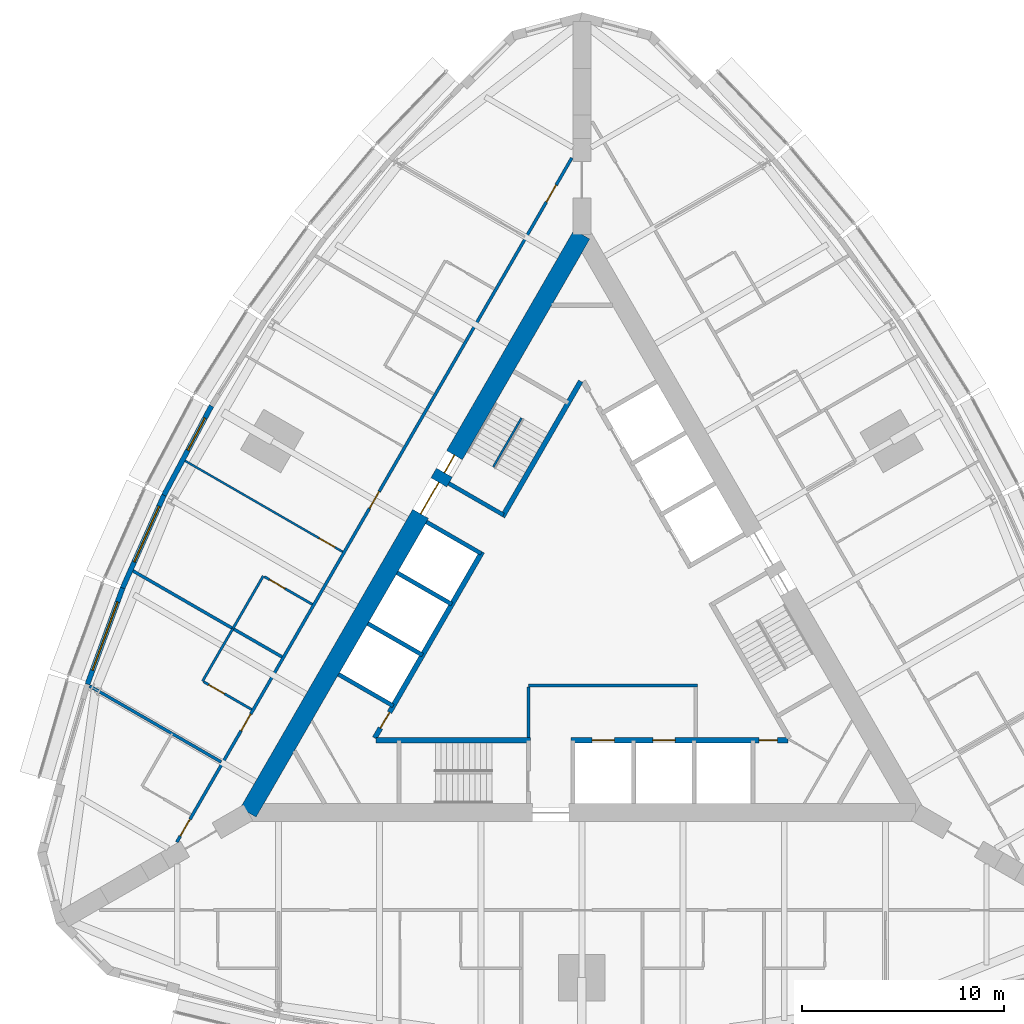
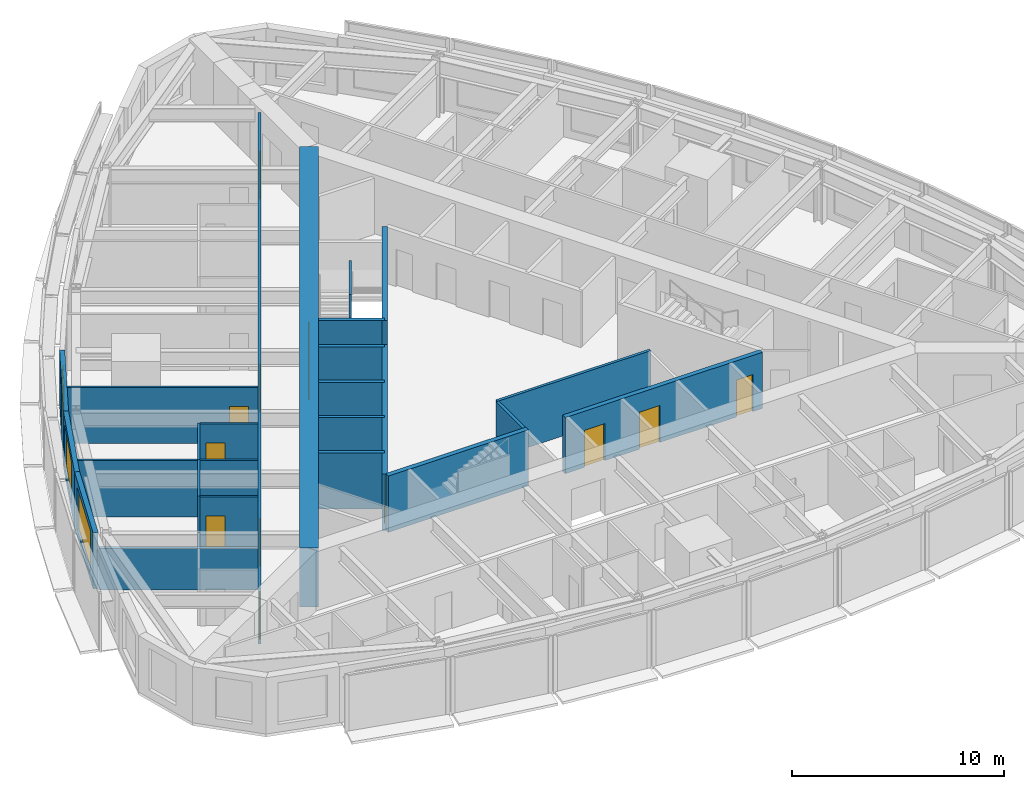
# One storey, part 9 of 14: 24 walls, 13 doors, 3 windows, 16 openings.
"""IFC4 building model written with IfcOpenShell, lengths in metres."""

from ifc_helpers import new_model, si_unit, direction, frame, frame_2d, origin, place, context, subcontext, project, spatial, rectangle, extrude, material, layer, layer_set, type_object, element, fill, save


model = new_model("IFC4")

# Units and contexts
model_context = context("Model", 3, precision=1e-05, world=origin(), true_north=direction((0.0, 1.0)))
body_context = subcontext(model_context, "Body", "Model", "MODEL_VIEW")
ifc_project = project(units=[si_unit("LENGTHUNIT", "METRE"), si_unit("AREAUNIT", "SQUARE_METRE"), si_unit("VOLUMEUNIT", "CUBIC_METRE"), si_unit("PLANEANGLEUNIT", "RADIAN"), si_unit("MASSUNIT", "GRAM", prefix="KILO")], contexts=[model_context])

# Site, building, storey
site_placement = place(None, origin())
site = spatial("IfcSite", under=ifc_project, at=site_placement, CompositionType="ELEMENT")
building_placement = place(site_placement, origin())
building = spatial("IfcBuilding", under=site, at=building_placement, Name="Trikona Tower", CompositionType="ELEMENT")
storey_placement = place(building_placement, frame((0.0, 0.0, 172.5)))
storey = spatial("IfcBuildingStorey", under=building, at=storey_placement, Name="L46", CompositionType="ELEMENT", Elevation=172.5)

# Wall
ifc_material_1 = material(Name="Metal stud and cement board", Category="gypsum")
ifc_layer_1 = layer(ifc_material_1, 0.1201171875)
ifc_layer_set_1 = layer_set([ifc_layer_1], Name="Bathroom wall 120")
wall_type_1 = type_object("IfcWallType", Name="Bathroom wall 120", PredefinedType="PLUMBINGWALL", material=ifc_layer_set_1)
wall_1_placement = place(storey_placement, frame((-15.75341796875, 2.1669921875, 0.0), z_axis=(0.0, 0.0, 1.0), x_axis=(-0.499990139034, -0.866031096941, 0.0)))
element("IfcWall", 1, at=wall_1_placement, inside=storey, type_object=wall_type_1, Name="Bathroom wall 4611.2", PredefinedType="PLUMBINGWALL", context=body_context, shape_type="SweptSolid", body=[
    extrude(rectangle(XDim=3.0, YDim=0.1201171875, at=frame_2d((1.5, 0.0))), origin(), (0.0, 0.0, 1.0), 3.235107421875),
])

# Wall, opening, door
wall_2_placement = place(storey_placement, frame((-13.32861328125, 0.76708984375, 0.0), z_axis=(0.0, 0.0, 1.0), x_axis=(-0.866035715982, 0.499982138324, 0.0)))
wall_2 = element("IfcWall", 2, at=wall_2_placement, inside=storey, type_object=wall_type_1, Name="Bathroom wall 4611.2", PredefinedType="PLUMBINGWALL", context=body_context, shape_type="SweptSolid", body=[
    extrude(rectangle(XDim=2.73974609375, YDim=0.1201171875, at=frame_2d((1.369873046875, 0.0))), origin(), (0.0, 0.0, 1.0), 3.235107421875),
])
opening_1_placement = place(wall_2_placement, frame((1.550048828125, 0.0, 0.0)))
opening_1 = element("IfcOpeningElement", 3, at=opening_1_placement, cuts=wall_2, Name="Opening D2", PredefinedType="OPENING", context=body_context, shape_type="SweptSolid", body=[
    extrude(rectangle(XDim=0.89990234375, YDim=2.1298828125, at=frame_2d((0.449951171875, 1.06494140625))), frame((0.0, 0.070068359375, 0.0), z_axis=(0.0, -1.0, 0.0), x_axis=(1.0, 0.0, 0.0)), (0.0, 0.0, 1.0), 0.14013671875),
])
ifc_material_2 = material(Name="Steel door frame with solid-core timber leaf", Category="steel")
door_type_1 = type_object("IfcDoorType", Name="Bathroom door 900x2130", OperationType="SLIDING_TO_LEFT", PredefinedType="DOOR", material=ifc_material_2)
door_1_placement = place(opening_1_placement, origin())
door_1 = element("IfcDoor", 4, at=door_1_placement, inside=storey, type_object=door_type_1, Name="Bathroom door 4611.2", OperationType="SLIDING_TO_LEFT", OverallHeight=2.1298828125, OverallWidth=0.89990234375, PredefinedType="DOOR", context=body_context, shape_type="SweptSolid", body=[
    extrude(rectangle(XDim=0.89990234375, YDim=2.1298828125, at=frame_2d((0.449951171875, 1.06494140625))), frame((0.0, 0.02490234375, 0.0), z_axis=(0.0, -1.0, 0.0), x_axis=(1.0, 0.0, 0.0)), (0.0, 0.0, 1.0), 0.050048828125),
])
fill(opening_1, door_1)

# Wall
wall_3_placement = place(storey_placement, frame((-17.25341796875, -0.43115234375, 0.0), z_axis=(0.0, 0.0, 1.0), x_axis=(-0.499990139034, -0.866031096941, 0.0)))
element("IfcWall", 5, at=wall_3_placement, inside=storey, type_object=wall_type_1, Name="Bathroom wall 4612", PredefinedType="PLUMBINGWALL", context=body_context, shape_type="SweptSolid", body=[
    extrude(rectangle(XDim=3.0, YDim=0.1201171875, at=frame_2d((1.5, 0.0))), origin(), (0.0, 0.0, 1.0), 3.235107421875),
])

# Wall, opening, door
wall_4_placement = place(storey_placement, frame((-16.32861328125, -4.42919921875, 0.0), z_axis=(0.0, 0.0, 1.0), x_axis=(-0.865997131366, 0.500048966069, 0.0)))
wall_4 = element("IfcWall", 6, at=wall_4_placement, inside=storey, type_object=wall_type_1, Name="Bathroom wall 4612", PredefinedType="PLUMBINGWALL", context=body_context, shape_type="SweptSolid", body=[
    extrude(rectangle(XDim=2.739990234375, YDim=0.1201171875, at=frame_2d((1.3701171875, 0.0))), origin(), (0.0, 0.0, 1.0), 3.235107421875),
])
opening_2_placement = place(wall_4_placement, frame((1.550048828125, 0.0, 0.0)))
opening_2 = element("IfcOpeningElement", 7, at=opening_2_placement, cuts=wall_4, Name="Opening D2", PredefinedType="OPENING", context=body_context, shape_type="SweptSolid", body=[
    extrude(rectangle(XDim=0.89990234375, YDim=2.1298828125, at=frame_2d((0.449951171875, 1.06494140625))), frame((0.0, 0.070068359375, 0.0), z_axis=(0.0, -1.0, 0.0), x_axis=(1.0, 0.0, 0.0)), (0.0, 0.0, 1.0), 0.14013671875),
])
door_2_placement = place(opening_2_placement, origin())
door_2 = element("IfcDoor", 8, at=door_2_placement, inside=storey, type_object=door_type_1, Name="Bathroom door 4612", OperationType="SLIDING_TO_LEFT", OverallHeight=2.1298828125, OverallWidth=0.89990234375, PredefinedType="DOOR", context=body_context, shape_type="SweptSolid", body=[
    extrude(rectangle(XDim=0.89990234375, YDim=2.1298828125, at=frame_2d((0.449951171875, 1.06494140625))), frame((0.0, 0.02490234375, 0.0), z_axis=(0.0, -1.0, 0.0), x_axis=(1.0, 0.0, 0.0)), (0.0, 0.0, 1.0), 0.050048828125),
])
fill(opening_2, door_2)

# Wall, openings, doors
ifc_material_3 = material(Name="Concrete f'c 10000 psi", Category="concrete")
ifc_layer_2 = layer(ifc_material_3, 0.89990234375)
ifc_layer_set_2 = layer_set([ifc_layer_2], Name="Core wall 900")
wall_type_2 = type_object("IfcWallType", Name="Core wall 900", PredefinedType="SHEAR", material=ifc_layer_set_2)
wall_5_placement = place(storey_placement, frame((0.0, 19.052490234375, 0.0), z_axis=(0.0, 0.0, 1.0), x_axis=(-0.499999749417, -0.866025548458, 0.0)))
wall_5 = element("IfcWall", 9, at=wall_5_placement, inside=storey, type_object=wall_type_2, Name="Core wall C", PredefinedType="SHEAR", context=body_context, shape_type="SweptSolid", body=[
    extrude(rectangle(XDim=33.0, YDim=0.89990234375, at=frame_2d((16.5, 0.0))), origin(), (0.0, 0.0, 1.0), 3.39990234375),
])
opening_3_placement = place(wall_5_placement, frame((14.14990234375, 0.0, 0.0)))
opening_3 = element("IfcOpeningElement", 10, at=opening_3_placement, cuts=wall_5, Name="Opening D6", PredefinedType="OPENING", context=body_context, shape_type="SweptSolid", body=[
    extrude(rectangle(XDim=1.800048828125, YDim=2.1298828125, at=frame_2d((0.89990234375, 1.06494140625))), frame((0.0, 0.4599609375, 0.0), z_axis=(0.0, -1.0, 0.0), x_axis=(1.0, 0.0, 0.0)), (0.0, 0.0, 1.0), 0.919921875),
])
opening_4_placement = place(wall_5_placement, frame((12.60009765625, 0.0, 0.0)))
opening_4 = element("IfcOpeningElement", 11, at=opening_4_placement, cuts=wall_5, Name="Opening D5", PredefinedType="OPENING", context=body_context, shape_type="SweptSolid", body=[
    extrude(rectangle(XDim=1.0, YDim=2.1298828125, at=frame_2d((0.5, 1.06494140625))), frame((0.0, 0.4599609375, 0.0), z_axis=(0.0, -1.0, 0.0), x_axis=(1.0, 0.0, 0.0)), (0.0, 0.0, 1.0), 0.919921875),
])
ifc_material_4 = material(Name="Hollow metal door and frame", Category="steel")
door_type_2 = type_object("IfcDoorType", Name="Lobby door pair 1800x2130", OperationType="DOUBLE_DOOR_SINGLE_SWING", PredefinedType="DOOR", material=ifc_material_4)
door_3_placement = place(opening_3_placement, origin())
door_3 = element("IfcDoor", 12, at=door_3_placement, inside=storey, type_object=door_type_2, Name="Lift lobby door C", OperationType="DOUBLE_DOOR_SINGLE_SWING", OverallHeight=2.1298828125, OverallWidth=1.800048828125, PredefinedType="DOOR", context=body_context, shape_type="SweptSolid", body=[
    extrude(rectangle(XDim=1.800048828125, YDim=2.1298828125, at=frame_2d((0.89990234375, 1.06494140625))), frame((0.0, 0.02490234375, 0.0), z_axis=(0.0, -1.0, 0.0), x_axis=(1.0, 0.0, 0.0)), (0.0, 0.0, 1.0), 0.050048828125),
])
fill(opening_3, door_3)
ifc_material_5 = material(Name="Hollow metal door and frame", Category="steel")
door_type_3 = type_object("IfcDoorType", Name="Stair door 1000x2130", OperationType="SINGLE_SWING_LEFT", PredefinedType="DOOR", material=ifc_material_5)
door_4_placement = place(opening_4_placement, origin())
door_4 = element("IfcDoor", 13, at=door_4_placement, inside=storey, type_object=door_type_3, Name="Stair C door", OperationType="SINGLE_SWING_RIGHT", OverallHeight=2.1298828125, OverallWidth=1.0, PredefinedType="DOOR", context=body_context, shape_type="SweptSolid", body=[
    extrude(rectangle(XDim=1.0, YDim=2.1298828125, at=frame_2d((0.5, 1.06494140625))), frame((0.0, 0.02490234375, 0.0), z_axis=(0.0, -1.0, 0.0), x_axis=(1.0, 0.0, 0.0)), (0.0, 0.0, 1.0), 0.050048828125),
])
fill(opening_4, door_4)

ifc_material_6 = material(Name="Metal stud and gypsum board, 1-hour", Category="gypsum")
ifc_layer_3 = layer(ifc_material_6, 0.14990234375)
ifc_layer_set_3 = layer_set([ifc_layer_3], Name="Corridor wall 150")
wall_type_3 = type_object("IfcWallType", Name="Corridor wall 150", PredefinedType="PARTITIONING", material=ifc_layer_set_3)
wall_6_placement = place(storey_placement, frame((-0.5, 22.83642578125, 0.0), z_axis=(0.0, 0.0, 1.0), x_axis=(-0.500001677587, -0.866024435227, 0.0)))
wall_6 = element("IfcWall", 14, at=wall_6_placement, inside=storey, type_object=wall_type_3, Name="Corridor wall L46-3", PredefinedType="PARTITIONING", context=body_context, shape_type="SweptSolid", body=[
    extrude(rectangle(XDim=39.053955078125, YDim=0.14990234375, at=frame_2d((19.52685546875, 0.0))), origin(), (0.0, 0.0, 1.0), 3.235107421875),
])
opening_5_placement = place(wall_6_placement, frame((1.558349609375, 0.0, 0.0)))
opening_5 = element("IfcOpeningElement", 15, at=opening_5_placement, cuts=wall_6, Name="Opening D1", PredefinedType="OPENING", context=body_context, shape_type="SweptSolid", body=[
    extrude(rectangle(XDim=0.949951171875, YDim=2.1298828125, at=frame_2d((0.47509765625, 1.06494140625))), frame((0.0, 0.0849609375, 0.0), z_axis=(0.0, -1.0, 0.0), x_axis=(1.0, 0.0, 0.0)), (0.0, 0.0, 1.0), 0.169921875),
])
opening_6_placement = place(wall_6_placement, frame((19.052001953125, 0.0, 0.0)))
opening_6 = element("IfcOpeningElement", 16, at=opening_6_placement, cuts=wall_6, Name="Opening D1", PredefinedType="OPENING", context=body_context, shape_type="SweptSolid", body=[
    extrude(rectangle(XDim=0.949951171875, YDim=2.1298828125, at=frame_2d((0.47509765625, 1.06494140625))), frame((0.0, 0.0849609375, 0.0), z_axis=(0.0, -1.0, 0.0), x_axis=(1.0, 0.0, 0.0)), (0.0, 0.0, 1.0), 0.169921875),
])
opening_7_placement = place(wall_6_placement, frame((31.751953125, 0.0, 0.0)))
opening_7 = element("IfcOpeningElement", 17, at=opening_7_placement, cuts=wall_6, Name="Opening D1", PredefinedType="OPENING", context=body_context, shape_type="SweptSolid", body=[
    extrude(rectangle(XDim=0.949951171875, YDim=2.1298828125, at=frame_2d((0.47509765625, 1.06494140625))), frame((0.0, 0.0849609375, 0.0), z_axis=(0.0, -1.0, 0.0), x_axis=(1.0, 0.0, 0.0)), (0.0, 0.0, 1.0), 0.169921875),
])
opening_8_placement = place(wall_6_placement, frame((37.751953125, 0.0, 0.0)))
opening_8 = element("IfcOpeningElement", 18, at=opening_8_placement, cuts=wall_6, Name="Opening D1", PredefinedType="OPENING", context=body_context, shape_type="SweptSolid", body=[
    extrude(rectangle(XDim=0.949951171875, YDim=2.1298828125, at=frame_2d((0.47509765625, 1.06494140625))), frame((0.0, 0.0849609375, 0.0), z_axis=(0.0, -1.0, 0.0), x_axis=(1.0, 0.0, 0.0)), (0.0, 0.0, 1.0), 0.169921875),
])
ifc_material_7 = material(Name="Steel door frame with solid-core timber leaf", Category="steel")
door_type_4 = type_object("IfcDoorType", Name="Guest room door 950x2130", OperationType="SINGLE_SWING_LEFT", PredefinedType="DOOR", material=ifc_material_7)
door_5_placement = place(opening_5_placement, origin())
door_5 = element("IfcDoor", 19, at=door_5_placement, inside=storey, type_object=door_type_4, Name="Room door 4610", OperationType="SINGLE_SWING_LEFT", OverallHeight=2.1298828125, OverallWidth=0.949951171875, PredefinedType="DOOR", context=body_context, shape_type="SweptSolid", body=[
    extrude(rectangle(XDim=0.949951171875, YDim=2.1298828125, at=frame_2d((0.47509765625, 1.06494140625))), frame((0.0, 0.02490234375, 0.0), z_axis=(0.0, -1.0, 0.0), x_axis=(1.0, 0.0, 0.0)), (0.0, 0.0, 1.0), 0.050048828125),
])
fill(opening_5, door_5)
door_6_placement = place(opening_6_placement, origin())
door_6 = element("IfcDoor", 20, at=door_6_placement, inside=storey, type_object=door_type_4, Name="Room door 4611", OperationType="SINGLE_SWING_RIGHT", OverallHeight=2.1298828125, OverallWidth=0.949951171875, PredefinedType="DOOR", context=body_context, shape_type="SweptSolid", body=[
    extrude(rectangle(XDim=0.949951171875, YDim=2.1298828125, at=frame_2d((0.47509765625, 1.06494140625))), frame((0.0, 0.02490234375, 0.0), z_axis=(0.0, -1.0, 0.0), x_axis=(1.0, 0.0, 0.0)), (0.0, 0.0, 1.0), 0.050048828125),
])
fill(opening_6, door_6)
door_7_placement = place(opening_7_placement, origin())
door_7 = element("IfcDoor", 21, at=door_7_placement, inside=storey, type_object=door_type_4, Name="Room door 4612", OperationType="SINGLE_SWING_LEFT", OverallHeight=2.1298828125, OverallWidth=0.949951171875, PredefinedType="DOOR", context=body_context, shape_type="SweptSolid", body=[
    extrude(rectangle(XDim=0.949951171875, YDim=2.1298828125, at=frame_2d((0.47509765625, 1.06494140625))), frame((0.0, 0.02490234375, 0.0), z_axis=(0.0, -1.0, 0.0), x_axis=(1.0, 0.0, 0.0)), (0.0, 0.0, 1.0), 0.050048828125),
])
fill(opening_7, door_7)
door_8_placement = place(opening_8_placement, origin())
door_8 = element("IfcDoor", 22, at=door_8_placement, inside=storey, type_object=door_type_4, Name="Room door 4613", OperationType="SINGLE_SWING_RIGHT", OverallHeight=2.1298828125, OverallWidth=0.949951171875, PredefinedType="DOOR", context=body_context, shape_type="SweptSolid", body=[
    extrude(rectangle(XDim=0.949951171875, YDim=2.1298828125, at=frame_2d((0.47509765625, 1.06494140625))), frame((0.0, 0.02490234375, 0.0), z_axis=(0.0, -1.0, 0.0), x_axis=(1.0, 0.0, 0.0)), (0.0, 0.0, 1.0), 0.050048828125),
])
fill(opening_8, door_8)

# Wall
ifc_material_8 = material(Name="Concrete f'c 8000 psi", Category="concrete")
ifc_layer_4 = layer(ifc_material_8, 0.25)
ifc_layer_set_4 = layer_set([ifc_layer_4], Name="Hub wall 250")
wall_type_4 = type_object("IfcWallType", Name="Hub wall 250", PredefinedType="SOLIDWALL", material=ifc_layer_set_4)
wall_7_placement = place(storey_placement, frame((-10.182861328125, -5.951416015625, 0.0), z_axis=(0.0, 0.0, 1.0), x_axis=(1.0, 0.0, 0.0)))
element("IfcWall", 23, at=wall_7_placement, inside=storey, type_object=wall_type_4, Name="Lift lobby wall A1", PredefinedType="SOLIDWALL", context=body_context, shape_type="SweptSolid", body=[
    extrude(rectangle(XDim=7.6328125, YDim=0.25, at=frame_2d((3.81640625, 0.0))), origin(), (0.0, 0.0, 1.0), 3.235107421875),
])

# Wall, openings, doors
wall_8_placement = place(storey_placement, frame((-0.550048828125, -5.951416015625, 0.0), z_axis=(0.0, 0.0, 1.0), x_axis=(1.0, 0.0, 0.0)))
wall_8 = element("IfcWall", 24, at=wall_8_placement, inside=storey, type_object=wall_type_4, Name="Lift lobby wall A2", PredefinedType="SOLIDWALL", context=body_context, shape_type="SweptSolid", body=[
    extrude(rectangle(XDim=10.73291015625, YDim=0.25, at=frame_2d((5.366455078125, 0.0))), origin(), (0.0, 0.0, 1.0), 3.235107421875),
])
opening_9_placement = place(wall_8_placement, frame((9.31396484375, 0.0, 0.0)))
opening_9 = element("IfcOpeningElement", 25, at=opening_9_placement, cuts=wall_8, Name="Opening D14", PredefinedType="OPENING", context=body_context, shape_type="SweptSolid", body=[
    extrude(rectangle(XDim=0.89990234375, YDim=2.1298828125, at=frame_2d((0.449951171875, 1.06494140625))), frame((0.0, 0.135009765625, 0.0), z_axis=(0.0, -1.0, 0.0), x_axis=(1.0, 0.0, 0.0)), (0.0, 0.0, 1.0), 0.27001953125),
])
opening_10_placement = place(wall_8_placement, frame((1.050048828125, 0.0, 0.0)))
opening_10 = element("IfcOpeningElement", 26, at=opening_10_placement, cuts=wall_8, Name="Opening LD", PredefinedType="OPENING", context=body_context, shape_type="SweptSolid", body=[
    extrude(rectangle(XDim=1.10009765625, YDim=2.1298828125, at=frame_2d((0.550048828125, 1.06494140625))), frame((0.0, 0.135009765625, 0.0), z_axis=(0.0, -1.0, 0.0), x_axis=(1.0, 0.0, 0.0)), (0.0, 0.0, 1.0), 0.27001953125),
])
opening_11_placement = place(wall_8_placement, frame((4.050048828125, 0.0, 0.0)))
opening_11 = element("IfcOpeningElement", 27, at=opening_11_placement, cuts=wall_8, Name="Opening LD", PredefinedType="OPENING", context=body_context, shape_type="SweptSolid", body=[
    extrude(rectangle(XDim=1.10009765625, YDim=2.1298828125, at=frame_2d((0.550048828125, 1.06494140625))), frame((0.0, 0.135009765625, 0.0), z_axis=(0.0, -1.0, 0.0), x_axis=(1.0, 0.0, 0.0)), (0.0, 0.0, 1.0), 0.27001953125),
])
ifc_material_9 = material(Name="Stainless steel lift landing door", Category="steel")
door_type_5 = type_object("IfcDoorType", Name="Lift landing door 1100x2130", OperationType="DOUBLE_DOOR_SLIDING", PredefinedType="USERDEFINED", material=ifc_material_9)
door_9_placement = place(opening_10_placement, origin())
door_9 = element("IfcDoor", 28, at=door_9_placement, inside=storey, type_object=door_type_5, Name="Lift landing door FF1", ObjectType="LIFT LANDING DOOR", OperationType="DOUBLE_DOOR_SLIDING", OverallHeight=2.1298828125, OverallWidth=1.10009765625, PredefinedType="USERDEFINED", context=body_context, shape_type="SweptSolid", body=[
    extrude(rectangle(XDim=1.10009765625, YDim=2.1298828125, at=frame_2d((0.550048828125, 1.06494140625))), frame((0.0, 0.02490234375, 0.0), z_axis=(0.0, -1.0, 0.0), x_axis=(1.0, 0.0, 0.0)), (0.0, 0.0, 1.0), 0.050048828125),
])
fill(opening_10, door_9)
door_10_placement = place(opening_11_placement, origin())
door_10 = element("IfcDoor", 29, at=door_10_placement, inside=storey, type_object=door_type_5, Name="Lift landing door FF2", ObjectType="LIFT LANDING DOOR", OperationType="DOUBLE_DOOR_SLIDING", OverallHeight=2.1298828125, OverallWidth=1.10009765625, PredefinedType="USERDEFINED", context=body_context, shape_type="SweptSolid", body=[
    extrude(rectangle(XDim=1.10009765625, YDim=2.1298828125, at=frame_2d((0.550048828125, 1.06494140625))), frame((0.0, 0.02490234375, 0.0), z_axis=(0.0, -1.0, 0.0), x_axis=(1.0, 0.0, 0.0)), (0.0, 0.0, 1.0), 0.050048828125),
])
fill(opening_11, door_10)
ifc_material_10 = material(Name="Hollow metal door and frame", Category="steel")
door_type_6 = type_object("IfcDoorType", Name="Service room door 900x2130", OperationType="SINGLE_SWING_LEFT", PredefinedType="DOOR", material=ifc_material_10)
door_11_placement = place(opening_9_placement, origin())
door_11 = element("IfcDoor", 30, at=door_11_placement, inside=storey, type_object=door_type_6, Name="Door Housekeeping store HKS", OperationType="SINGLE_SWING_RIGHT", OverallHeight=2.1298828125, OverallWidth=0.89990234375, PredefinedType="DOOR", context=body_context, shape_type="SweptSolid", body=[
    extrude(rectangle(XDim=0.89990234375, YDim=2.1298828125, at=frame_2d((0.449951171875, 1.06494140625))), frame((0.0, 0.02490234375, 0.0), z_axis=(0.0, -1.0, 0.0), x_axis=(1.0, 0.0, 0.0)), (0.0, 0.0, 1.0), 0.050048828125),
])
fill(opening_9, door_11)

# Wall
wall_9_placement = place(storey_placement, frame((-0.0625, 11.794189453125, 0.0), z_axis=(0.0, 0.0, 1.0), x_axis=(-0.500006680225, -0.86602154692, 0.0)))
element("IfcWall", 31, at=wall_9_placement, inside=storey, type_object=wall_type_4, Name="Lift lobby wall C1", PredefinedType="SOLIDWALL", context=body_context, shape_type="SweptSolid", body=[
    extrude(rectangle(XDim=7.73291015625, YDim=0.25, at=frame_2d((3.866455078125, 0.0))), origin(), (0.0, 0.0, 1.0), 3.235107421875),
])

# Wall, opening, door
wall_10_placement = place(storey_placement, frame((-4.928955078125, 3.365478515625, 0.0), z_axis=(0.0, 0.0, 1.0), x_axis=(-0.499991433582, -0.866030349552, 0.0)))
wall_10 = element("IfcWall", 32, at=wall_10_placement, inside=storey, type_object=wall_type_4, Name="Lift lobby wall C2", PredefinedType="SOLIDWALL", context=body_context, shape_type="SweptSolid", body=[
    extrude(rectangle(XDim=10.633056640625, YDim=0.25, at=frame_2d((5.31640625, 0.0))), origin(), (0.0, 0.0, 1.0), 3.235107421875),
])
opening_12_placement = place(wall_10_placement, frame((9.1640625, 0.0, 0.0)))
opening_12 = element("IfcOpeningElement", 33, at=opening_12_placement, cuts=wall_10, Name="Opening D14", PredefinedType="OPENING", context=body_context, shape_type="SweptSolid", body=[
    extrude(rectangle(XDim=0.89990234375, YDim=2.1298828125, at=frame_2d((0.449951171875, 1.06494140625))), frame((0.0, 0.135009765625, 0.0), z_axis=(0.0, -1.0, 0.0), x_axis=(1.0, 0.0, 0.0)), (0.0, 0.0, 1.0), 0.27001953125),
])
door_12_placement = place(opening_12_placement, origin())
door_12 = element("IfcDoor", 34, at=door_12_placement, inside=storey, type_object=door_type_6, Name="Door Linen store LIN", OperationType="SINGLE_SWING_RIGHT", OverallHeight=2.1298828125, OverallWidth=0.89990234375, PredefinedType="DOOR", context=body_context, shape_type="SweptSolid", body=[
    extrude(rectangle(XDim=0.89990234375, YDim=2.1298828125, at=frame_2d((0.449951171875, 1.06494140625))), frame((0.0, 0.02490234375, 0.0), z_axis=(0.0, -1.0, 0.0), x_axis=(1.0, 0.0, 0.0)), (0.0, 0.0, 1.0), 0.050048828125),
])
fill(opening_12, door_12)

# Wall, opening, window
ifc_material_11 = material(Name="Insulated precast concrete spandrel panel", Category="concrete")
ifc_layer_5 = layer(ifc_material_11, 0.25)
ifc_layer_set_5 = layer_set([ifc_layer_5], Name="Inner skin wall 250")
wall_type_5 = type_object("IfcWallType", Name="Inner skin wall 250", PredefinedType="STANDARD", material=ifc_layer_set_5)
wall_11_placement = place(storey_placement, frame((-18.314453125, 10.578857421875, 0.0), z_axis=(0.0, 0.0, 1.0), x_axis=(-0.469404966864, -0.882982999317, 0.0)))
wall_11 = element("IfcWall", 35, at=wall_11_placement, inside=storey, type_object=wall_type_5, Name="External wall L46-28", PredefinedType="STANDARD", context=body_context, shape_type="SweptSolid", body=[
    extrude(rectangle(XDim=5.0029296875, YDim=0.25, at=frame_2d((2.50146484375, 0.0))), origin(), (0.0, 0.0, 1.0), 3.235107421875),
])
opening_13_placement = place(wall_11_placement, frame((0.683837890625, 0.0, 0.449951171875)))
opening_13 = element("IfcOpeningElement", 36, at=opening_13_placement, cuts=wall_11, Name="Opening W1824", PredefinedType="OPENING", context=body_context, shape_type="SweptSolid", body=[
    extrude(rectangle(XDim=1.800048828125, YDim=2.39990234375, at=frame_2d((0.89990234375, 1.199951171875))), frame((0.0, 0.135009765625, 0.0), z_axis=(0.0, -1.0, 0.0), x_axis=(1.0, 0.0, 0.0)), (0.0, 0.0, 1.0), 0.27001953125),
])
ifc_material_12 = material(Name="Aluminium-framed double glazing", Category="aluminium")
window_type_1 = type_object("IfcWindowType", Name="Window 1800x2400", PartitioningType="SINGLE_PANEL", PredefinedType="WINDOW", material=ifc_material_12)
window_1_placement = place(opening_13_placement, origin())
window_1 = element("IfcWindow", 37, at=window_1_placement, inside=storey, type_object=window_type_1, Name="Window 4611", OverallHeight=2.39990234375, OverallWidth=1.800048828125, PartitioningType="SINGLE_PANEL", PredefinedType="WINDOW", context=body_context, shape_type="SweptSolid", body=[
    extrude(rectangle(XDim=1.800048828125, YDim=2.39990234375, at=frame_2d((0.89990234375, 1.199951171875))), frame((0.0, 0.030029296875, 0.0), z_axis=(0.0, -1.0, 0.0), x_axis=(1.0, 0.0, 0.0)), (0.0, 0.0, 1.0), 0.06005859375),
])
fill(opening_13, window_1)

wall_12_placement = place(storey_placement, frame((-20.6591796875, 6.169189453125, 0.0), z_axis=(0.0, 0.0, 1.0), x_axis=(-0.406832200364, -0.913502906808, 0.0)))
wall_12 = element("IfcWall", 38, at=wall_12_placement, inside=storey, type_object=wall_type_5, Name="External wall L46-29", PredefinedType="STANDARD", context=body_context, shape_type="SweptSolid", body=[
    extrude(rectangle(XDim=5.027587890625, YDim=0.25, at=frame_2d((2.513671875, 0.0))), origin(), (0.0, 0.0, 1.0), 3.235107421875),
])
opening_14_placement = place(wall_12_placement, frame((0.609619140625, 0.0, 0.449951171875)))
opening_14 = element("IfcOpeningElement", 39, at=opening_14_placement, cuts=wall_12, Name="Opening W3024", PredefinedType="OPENING", context=body_context, shape_type="SweptSolid", body=[
    extrude(rectangle(XDim=3.0, YDim=2.39990234375, at=frame_2d((1.5, 1.199951171875))), frame((0.0, 0.135009765625, 0.0), z_axis=(0.0, -1.0, 0.0), x_axis=(1.0, 0.0, 0.0)), (0.0, 0.0, 1.0), 0.27001953125),
])
ifc_material_13 = material(Name="Aluminium-framed double glazing", Category="aluminium")
window_type_2 = type_object("IfcWindowType", Name="Window 3000x2400", PartitioningType="SINGLE_PANEL", PredefinedType="WINDOW", material=ifc_material_13)
window_2_placement = place(opening_14_placement, origin())
window_2 = element("IfcWindow", 40, at=window_2_placement, inside=storey, type_object=window_type_2, Name="Window 4611.2", OverallHeight=2.39990234375, OverallWidth=3.0, PartitioningType="SINGLE_PANEL", PredefinedType="WINDOW", context=body_context, shape_type="SweptSolid", body=[
    extrude(rectangle(XDim=3.0, YDim=2.39990234375, at=frame_2d((1.5, 1.199951171875))), frame((0.0, 0.030029296875, 0.0), z_axis=(0.0, -1.0, 0.0), x_axis=(1.0, 0.0, 0.0)), (0.0, 0.0, 1.0), 0.06005859375),
])
fill(opening_14, window_2)

wall_13_placement = place(storey_placement, frame((-22.701416015625, 1.58447265625, 0.0), z_axis=(0.0, 0.0, 1.0), x_axis=(-0.343225593282, -0.939252996863, 0.0)))
wall_13 = element("IfcWall", 41, at=wall_13_placement, inside=storey, type_object=wall_type_5, Name="External wall L46-30", PredefinedType="STANDARD", context=body_context, shape_type="SweptSolid", body=[
    extrude(rectangle(XDim=5.075927734375, YDim=0.25, at=frame_2d((2.5380859375, 0.0))), origin(), (0.0, 0.0, 1.0), 3.235107421875),
])
opening_15_placement = place(wall_13_placement, frame((0.738037109375, 0.0, 0.449951171875)))
opening_15 = element("IfcOpeningElement", 42, at=opening_15_placement, cuts=wall_13, Name="Opening W3624", PredefinedType="OPENING", context=body_context, shape_type="SweptSolid", body=[
    extrude(rectangle(XDim=3.60009765625, YDim=2.39990234375, at=frame_2d((1.800048828125, 1.199951171875))), frame((0.0, 0.135009765625, 0.0), z_axis=(0.0, -1.0, 0.0), x_axis=(1.0, 0.0, 0.0)), (0.0, 0.0, 1.0), 0.27001953125),
])
ifc_material_14 = material(Name="Aluminium-framed double glazing", Category="aluminium")
window_type_3 = type_object("IfcWindowType", Name="Window 3600x2400", PartitioningType="SINGLE_PANEL", PredefinedType="WINDOW", material=ifc_material_14)
window_3_placement = place(opening_15_placement, origin())
window_3 = element("IfcWindow", 43, at=window_3_placement, inside=storey, type_object=window_type_3, Name="Window 4612", OverallHeight=2.39990234375, OverallWidth=3.60009765625, PartitioningType="SINGLE_PANEL", PredefinedType="WINDOW", context=body_context, shape_type="SweptSolid", body=[
    extrude(rectangle(XDim=3.60009765625, YDim=2.39990234375, at=frame_2d((1.800048828125, 1.199951171875))), frame((0.0, 0.030029296875, 0.0), z_axis=(0.0, -1.0, 0.0), x_axis=(1.0, 0.0, 0.0)), (0.0, 0.0, 1.0), 0.06005859375),
])
fill(opening_15, window_3)

# Walls
ifc_material_15 = material(Name="Metal stud and gypsum board, 2-hour shaft wall", Category="gypsum")
ifc_layer_6 = layer(ifc_material_15, 0.14990234375)
ifc_layer_set_6 = layer_set([ifc_layer_6], Name="Lobby wall 150")
wall_type_6 = type_object("IfcWallType", Name="Lobby wall 150", PredefinedType="PARTITIONING", material=ifc_layer_set_6)
wall_14_placement = place(storey_placement, frame((-2.64990234375, -3.251220703125, 0.0), z_axis=(0.0, 0.0, 1.0), x_axis=(1.0, 0.0, 0.0)))
element("IfcWall", 44, at=wall_14_placement, inside=storey, type_object=wall_type_6, Name="Fire service lift lobby wall 1", PredefinedType="PARTITIONING", context=body_context, shape_type="SweptSolid", body=[
    extrude(rectangle(XDim=8.349853515625, YDim=0.14990234375, at=frame_2d((4.1748046875, 0.0))), origin(), (0.0, 0.0, 1.0), 3.235107421875),
])
wall_15_placement = place(storey_placement, frame((-2.64990234375, -5.826416015625, 0.0), z_axis=(0.0, 0.0, 1.0), x_axis=(0.0, 1.0, 0.0)))
element("IfcWall", 45, at=wall_15_placement, inside=storey, type_object=wall_type_6, Name="Fire service lift lobby wall 2", PredefinedType="PARTITIONING", context=body_context, shape_type="SweptSolid", body=[
    extrude(rectangle(XDim=2.5, YDim=0.14990234375, at=frame_2d((1.25, 0.0))), origin(), (0.0, 0.0, 1.0), 3.235107421875),
])
ifc_material_16 = material(Name="Metal stud and gypsum board, 1-hour acoustic", Category="gypsum")
ifc_layer_7 = layer(ifc_material_16, 0.14990234375)
ifc_layer_set_7 = layer_set([ifc_layer_7], Name="Party wall 150")
wall_type_7 = type_object("IfcWallType", Name="Party wall 150", PredefinedType="PARTITIONING", material=ifc_layer_set_7)
wall_16_placement = place(storey_placement, frame((-14.82861328125, -1.8310546875, 0.0), z_axis=(0.0, 0.0, 1.0), x_axis=(-0.866023962952, 0.500002495586, 0.0)))
element("IfcWall", 46, at=wall_16_placement, inside=storey, type_object=wall_type_7, Name="Partition L46 F3 u9", PredefinedType="PARTITIONING", context=body_context, shape_type="SweptSolid", body=[
    extrude(rectangle(XDim=8.50244140625, YDim=0.14990234375, at=frame_2d((4.251220703125, 0.0))), origin(), (0.0, 0.0, 1.0), 3.235107421875),
])
wall_17_placement = place(storey_placement, frame((-17.82861328125, -7.027099609375, 0.0), z_axis=(0.0, 0.0, 1.0), x_axis=(-0.866029804378, 0.499992377871, 0.0)))
element("IfcWall", 47, at=wall_17_placement, inside=storey, type_object=wall_type_7, Name="Partition L46 F3 u15", PredefinedType="PARTITIONING", context=body_context, shape_type="SweptSolid", body=[
    extrude(rectangle(XDim=7.51611328125, YDim=0.14990234375, at=frame_2d((3.758056640625, 0.0))), origin(), (0.0, 0.0, 1.0), 2.38916015625),
])
ifc_material_17 = material(Name="Concrete f'c 8000 psi", Category="concrete")
ifc_layer_8 = layer(ifc_material_17, 0.199951171875)
ifc_layer_set_8 = layer_set([ifc_layer_8], Name="Shaft wall 200")
wall_type_8 = type_object("IfcWallType", Name="Shaft wall 200", PredefinedType="SOLIDWALL", material=ifc_layer_set_8)
for number, where, z_axis, x_axis, name in (
    (48, (-4.97900390625, 3.27880859375, 0.0), (0.0, 0.0, 1.0), (-0.866022959057, 0.500004234368, 0.0), "Shaft wall C3"),
    (49, (-6.428955078125, 0.767333984375, 0.0), (0.0, 0.0, 1.0), (-0.866022959057, 0.500004234368, 0.0), "Shaft wall C4"),
    (50, (-7.87890625, -1.744140625, 0.0), (0.0, 0.0, 1.0), (-0.866022959057, 0.500004234368, 0.0), "Shaft wall C5"),
    (51, (-9.3291015625, -4.255615234375, 0.0), (0.0, 0.0, 1.0), (-0.866022959057, 0.500004234368, 0.0), "Shaft wall C6"),
):
    element("IfcWall", number, at=place(storey_placement, frame(where, z_axis=z_axis, x_axis=x_axis)), inside=storey, type_object=wall_type_8, Name=name, PredefinedType="SOLIDWALL", context=body_context, shape_type="SweptSolid", body=[
        extrude(rectangle(XDim=3.125, YDim=0.199951171875, at=frame_2d((1.5625, 0.0))), origin(), (0.0, 0.0, 1.0), 3.235107421875),
    ])
ifc_material_18 = material(Name="Concrete f'c 8000 psi", Category="concrete")
ifc_layer_9 = layer(ifc_material_18, 0.199951171875)
ifc_layer_set_9 = layer_set([ifc_layer_9], Name="Shaft wall 200 load-bearing")
wall_type_9 = type_object("IfcWallType", Name="Shaft wall 200 load-bearing", PredefinedType="SOLIDWALL", material=ifc_layer_set_9)
wall_18_placement = place(storey_placement, frame((-3.87890625, 5.18408203125, 0.0), z_axis=(0.0, 0.0, 1.0), x_axis=(-0.866022959057, 0.500004234368, 0.0)))
element("IfcWall", 52, at=wall_18_placement, inside=storey, type_object=wall_type_9, Name="Shaft wall C2", PredefinedType="SOLIDWALL", context=body_context, shape_type="SweptSolid", body=[
    extrude(rectangle(XDim=3.125, YDim=0.199951171875, at=frame_2d((1.5625, 0.0))), origin(), (0.0, 0.0, 1.0), 3.235107421875),
])
ifc_material_19 = material(Name="Concrete f'c 5000 psi", Category="concrete")
ifc_layer_10 = layer(ifc_material_19, 0.10009765625)
ifc_layer_set_10 = layer_set([ifc_layer_10], Name="Stair spine wall 100")
wall_type_10 = type_object("IfcWallType", Name="Stair spine wall 100", PredefinedType="SOLIDWALL", material=ifc_layer_set_10)
wall_19_placement = place(storey_placement, frame((-2.98779296875, 9.9775390625, 0.0), z_axis=(0.0, 0.0, 1.0), x_axis=(-0.499992232847, -0.866029888106, 0.0)))
element("IfcWall", 53, at=wall_19_placement, inside=storey, type_object=wall_type_10, Name="Stair C spine wall L46", PredefinedType="SOLIDWALL", context=body_context, shape_type="SweptSolid", body=[
    extrude(rectangle(XDim=2.7939453125, YDim=0.10009765625, at=frame_2d((1.39697265625, 0.0))), origin(), (0.0, 0.0, 1.0), 3.39990234375),
])

# Wall, opening, door
ifc_material_20 = material(Name="Metal stud and gypsum board, acoustic", Category="gypsum")
ifc_layer_11 = layer(ifc_material_20, 0.10009765625)
ifc_layer_set_11 = layer_set([ifc_layer_11], Name="Suite partition 100")
wall_type_11 = type_object("IfcWallType", Name="Suite partition 100", PredefinedType="PARTITIONING", material=ifc_layer_set_11)
wall_20_placement = place(storey_placement, frame((-11.82861328125, 3.364990234375, 0.0), z_axis=(0.0, 0.0, 1.0), x_axis=(-0.866009279501, 0.500027927039, 0.0)))
wall_20 = element("IfcWall", 54, at=wall_20_placement, inside=storey, type_object=wall_type_11, Name="Suite partition L46 F3 u3", PredefinedType="PARTITIONING", context=body_context, shape_type="SweptSolid", body=[
    extrude(rectangle(XDim=8.99365234375, YDim=0.10009765625, at=frame_2d((4.496826171875, 0.0))), origin(), (0.0, 0.0, 1.0), 3.235107421875),
])
opening_16_placement = place(wall_20_placement, frame((0.449951171875, 0.0, 0.0)))
opening_16 = element("IfcOpeningElement", 55, at=opening_16_placement, cuts=wall_20, Name="Opening D13", PredefinedType="OPENING", context=body_context, shape_type="SweptSolid", body=[
    extrude(rectangle(XDim=0.89990234375, YDim=2.1298828125, at=frame_2d((0.449951171875, 1.06494140625))), frame((0.0, 0.06005859375, 0.0), z_axis=(0.0, -1.0, 0.0), x_axis=(1.0, 0.0, 0.0)), (0.0, 0.0, 1.0), 0.1201171875),
])
ifc_material_21 = material(Name="Steel door frame with solid-core timber leaf", Category="steel")
door_type_7 = type_object("IfcDoorType", Name="Suite door 900x2130", OperationType="SINGLE_SWING_LEFT", PredefinedType="DOOR", material=ifc_material_21)
door_13_placement = place(opening_16_placement, origin())
door_13 = element("IfcDoor", 56, at=door_13_placement, inside=storey, type_object=door_type_7, Name="Suite door 4611", OperationType="SINGLE_SWING_LEFT", OverallHeight=2.1298828125, OverallWidth=0.89990234375, PredefinedType="DOOR", context=body_context, shape_type="SweptSolid", body=[
    extrude(rectangle(XDim=0.89990234375, YDim=2.1298828125, at=frame_2d((0.449951171875, 1.06494140625))), frame((0.0, 0.02490234375, 0.0), z_axis=(0.0, -1.0, 0.0), x_axis=(1.0, 0.0, 0.0)), (0.0, 0.0, 1.0), 0.050048828125),
])
fill(opening_16, door_13)

save(model, "model.ifc")
